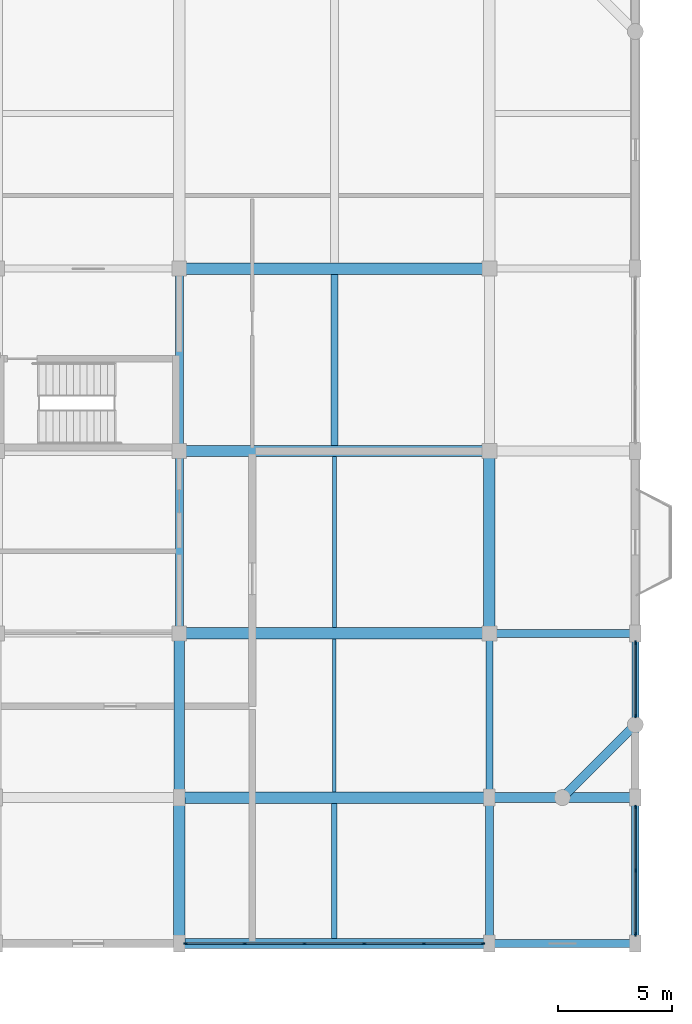
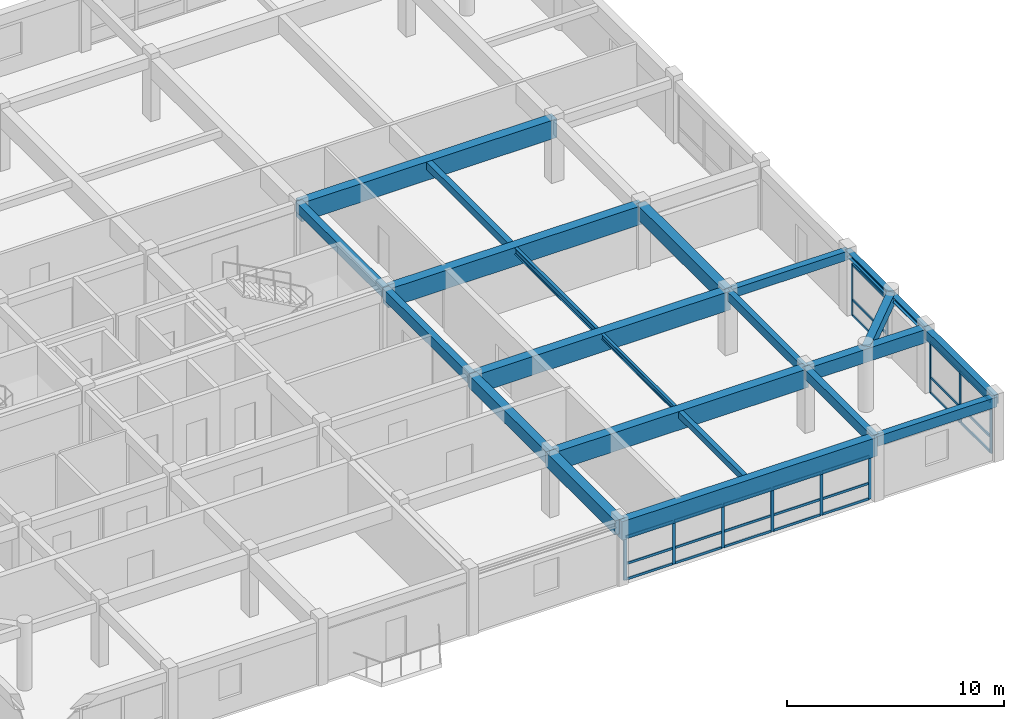
# One storey, part 4 of 13: 35 members, 22 beams, 3 elements without a shape of their own.
"""IFC4 building model written with IfcOpenShell, lengths in metres."""

from ifc_helpers import new_model, si_unit, direction, frame, origin, origin_2d, place, context, subcontext, project, spatial, rectangle, i_section, extrude, material, material_profile, profile_set, type_object, element, aggregate, save


model = new_model("IFC4")

# Units and contexts
model_context = context("Model", 3, precision=1e-05, world=origin(), true_north=direction((0.0, 1.0)))
body_context = subcontext(model_context, "Body", "Model", "MODEL_VIEW")
ifc_project = project(units=[si_unit("LENGTHUNIT", "METRE"), si_unit("AREAUNIT", "SQUARE_METRE"), si_unit("VOLUMEUNIT", "CUBIC_METRE"), si_unit("PLANEANGLEUNIT", "RADIAN"), si_unit("MASSUNIT", "GRAM", prefix="KILO")], contexts=[model_context])

# Site, building, storey
site_placement = place(None, origin())
site = spatial("IfcSite", under=ifc_project, at=site_placement, CompositionType="ELEMENT")
building_placement = place(site_placement, origin())
building = spatial("IfcBuilding", under=site, at=building_placement, Name="Vellmiral Cinema and Media Centre", CompositionType="ELEMENT")
storey_placement = place(building_placement, frame((0.0, 0.0, 43.300048828125)))
storey = spatial("IfcBuildingStorey", under=building, at=storey_placement, Name="L10", CompositionType="ELEMENT", Elevation=43.300048828125)

# Beams
ifc_material_1 = material(Name="Concrete C40/50", Category="concrete")
ifc_material_profile_1 = material_profile(ifc_material_1, rectangle(XDim=0.300048828125, YDim=0.5, at=origin_2d()), Name="RC 300x500")
ifc_profile_set_1 = profile_set([ifc_material_profile_1], Name="Concrete C40/50")
beam_type_1 = type_object("IfcBeamType", Name="BM-RC-300x500", PredefinedType="BEAM", material=ifc_profile_set_1)
beam_1_placement = place(storey_placement, frame((161.60009765625, 72.0, 3.244873046875), z_axis=(0.0, 1.0, 0.0), x_axis=(-1.0, 0.0, 0.0)))
element("IfcBeam", 1, at=beam_1_placement, inside=storey, type_object=beam_type_1, Name="Grid Beam L10-Y073", PredefinedType="BEAM", context=body_context, shape_type="SweptSolid", body=[
    extrude(rectangle(XDim=0.300048828125, YDim=0.5, at=origin_2d()), origin(), (0.0, 0.0, 1.0), 7.199951171875),
])
ifc_material_2 = material(Name="Concrete C40/50", Category="concrete")
ifc_material_profile_2 = material_profile(ifc_material_2, rectangle(XDim=0.35009765625, YDim=0.5, at=origin_2d()), Name="RC 350x500")
ifc_profile_set_2 = profile_set([ifc_material_profile_2], Name="Concrete C40/50")
beam_type_2 = type_object("IfcBeamType", Name="BM-RC-350x500", PredefinedType="BEAM", material=ifc_profile_set_2)
beam_2_placement = place(storey_placement, frame((161.60009765625, 79.199951171875, 3.244873046875), z_axis=(1.0, 0.0, 0.0), x_axis=(0.0, 1.0, 0.0)))
element("IfcBeam", 2, at=beam_2_placement, inside=storey, type_object=beam_type_2, Name="Grid Beam L10-X018", PredefinedType="BEAM", context=body_context, shape_type="SweptSolid", body=[
    extrude(rectangle(XDim=0.35009765625, YDim=0.5, at=origin_2d()), origin(), (0.0, 0.0, 1.0), 6.39990234375),
])
ifc_material_3 = material(Name="Concrete C40/50", Category="concrete")
ifc_material_profile_3 = material_profile(ifc_material_3, rectangle(XDim=0.35009765625, YDim=0.550048828125, at=origin_2d()), Name="RC 350x550")
ifc_profile_set_3 = profile_set([ifc_material_profile_3], Name="Concrete C40/50")
beam_type_3 = type_object("IfcBeamType", Name="BM-RC-350x550", PredefinedType="BEAM", material=ifc_profile_set_3)
beam_3_placement = place(storey_placement, frame((148.0, 87.199951171875, 3.219970703125), z_axis=(0.0, 1.0, 0.0), x_axis=(-1.0, 0.0, 0.0)))
element("IfcBeam", 3, at=beam_3_placement, inside=storey, type_object=beam_type_3, Name="Grid Beam L10-Y069", PredefinedType="BEAM", context=body_context, shape_type="SweptSolid", body=[
    extrude(rectangle(XDim=0.35009765625, YDim=0.550048828125, at=origin_2d()), origin(), (0.0, 0.0, 1.0), 8.0),
])
beam_4_placement = place(storey_placement, frame((161.60009765625, 65.60009765625, 3.219970703125), z_axis=(0.0, 1.0, 0.0), x_axis=(-1.0, 0.0, 0.0)))
element("IfcBeam", 4, at=beam_4_placement, inside=storey, type_object=beam_type_3, Name="Grid Beam L10-Y072", PredefinedType="BEAM", context=body_context, shape_type="SweptSolid", body=[
    extrude(rectangle(XDim=0.35009765625, YDim=0.550048828125, at=origin_2d()), origin(), (0.0, 0.0, 1.0), 6.39990234375),
])
ifc_material_4 = material(Name="Concrete C40/50", Category="concrete")
ifc_material_profile_4 = material_profile(ifc_material_4, rectangle(XDim=0.35009765625, YDim=0.60009765625, at=origin_2d()), Name="RC 350x600")
ifc_profile_set_4 = profile_set([ifc_material_profile_4], Name="Concrete C40/50")
beam_type_4 = type_object("IfcBeamType", Name="BM-RC-350x600", PredefinedType="BEAM", material=ifc_profile_set_4)
beam_5_placement = place(storey_placement, frame((148.0, 79.199951171875, 3.195068359375), z_axis=(0.0, 1.0, 0.0), x_axis=(-1.0, 0.0, 0.0)))
element("IfcBeam", 5, at=beam_5_placement, inside=storey, type_object=beam_type_4, Name="Grid Beam L10-Y068", PredefinedType="BEAM", context=body_context, shape_type="SweptSolid", body=[
    extrude(rectangle(XDim=0.35009765625, YDim=0.60009765625, at=origin_2d()), origin(), (0.0, 0.0, 1.0), 8.0),
])
ifc_material_5 = material(Name="Concrete C40/50", Category="concrete")
ifc_material_profile_5 = material_profile(ifc_material_5, rectangle(XDim=0.449951171875, YDim=0.699951171875, at=origin_2d()), Name="RC 450x700")
ifc_profile_set_5 = profile_set([ifc_material_profile_5], Name="Concrete C40/50")
beam_type_5 = type_object("IfcBeamType", Name="BM-RC-450x700", PredefinedType="BEAM", material=ifc_profile_set_5)
beam_6_placement = place(storey_placement, frame((148.0, 72.0, 3.14501953125), z_axis=(0.0, 1.0, 0.0), x_axis=(-1.0, 0.0, 0.0)))
element("IfcBeam", 6, at=beam_6_placement, inside=storey, type_object=beam_type_5, Name="Grid Beam L10-Y067", PredefinedType="BEAM", context=body_context, shape_type="SweptSolid", body=[
    extrude(rectangle(XDim=0.449951171875, YDim=0.699951171875, at=origin_2d()), origin(), (0.0, 0.0, 1.0), 7.199951171875),
])
ifc_material_6 = material(Name="Concrete C40/50", Category="concrete")
ifc_material_profile_6 = material_profile(ifc_material_6, rectangle(XDim=0.449951171875, YDim=0.75, at=origin_2d()), Name="RC 450x750")
ifc_profile_set_6 = profile_set([ifc_material_profile_6], Name="Concrete C40/50")
beam_type_6 = type_object("IfcBeamType", Name="BM-RC-450x750", PredefinedType="BEAM", material=ifc_profile_set_6)
beam_7_placement = place(storey_placement, frame((161.60009765625, 72.0, 3.119873046875), z_axis=(1.0, 0.0, 0.0), x_axis=(0.0, 1.0, 0.0)))
element("IfcBeam", 7, at=beam_7_placement, inside=storey, type_object=beam_type_6, Name="Grid Beam L10-X012", PredefinedType="BEAM", context=body_context, shape_type="SweptSolid", body=[
    extrude(rectangle(XDim=0.449951171875, YDim=0.75, at=origin_2d()), origin(), (0.0, 0.0, 1.0), 6.39990234375),
])
ifc_material_7 = material(Name="Concrete C40/50", Category="concrete")
ifc_material_profile_7 = material_profile(ifc_material_7, rectangle(XDim=0.5, YDim=0.800048828125, at=origin_2d()), Name="RC 500x800")
ifc_profile_set_7 = profile_set([ifc_material_profile_7], Name="Concrete C40/50")
beam_type_7 = type_object("IfcBeamType", Name="BM-RC-500x800", PredefinedType="BEAM", material=ifc_profile_set_7)
beam_8_placement = place(storey_placement, frame((148.0, 65.60009765625, 3.094970703125), z_axis=(0.0, 1.0, 0.0), x_axis=(-1.0, 0.0, 0.0)))
element("IfcBeam", 8, at=beam_8_placement, inside=storey, type_object=beam_type_7, Name="Grid Beam L10-Y066", PredefinedType="BEAM", context=body_context, shape_type="SweptSolid", body=[
    extrude(rectangle(XDim=0.5, YDim=0.800048828125, at=origin_2d()), origin(), (0.0, 0.0, 1.0), 6.39990234375),
])
beam_9_placement = place(storey_placement, frame((161.60009765625, 79.199951171875, 3.094970703125), z_axis=(0.0, 1.0, 0.0), x_axis=(-1.0, 0.0, 0.0)))
element("IfcBeam", 9, at=beam_9_placement, inside=storey, type_object=beam_type_7, Name="Grid Beam L10-Y074", PredefinedType="BEAM", context=body_context, shape_type="SweptSolid", body=[
    extrude(rectangle(XDim=0.5, YDim=0.800048828125, at=origin_2d()), origin(), (0.0, 0.0, 1.0), 8.0),
])
ifc_material_8 = material(Name="Concrete C40/50", Category="concrete")
ifc_material_profile_8 = material_profile(ifc_material_8, rectangle(XDim=0.5, YDim=1.050048828125, at=origin_2d()), Name="RC 500x1050")
ifc_profile_set_8 = profile_set([ifc_material_profile_8], Name="Concrete C40/50")
beam_type_8 = type_object("IfcBeamType", Name="BM-RCG-500x1050", PredefinedType="BEAM", material=ifc_profile_set_8)
for number, where, z_axis, x_axis, name in (
    (10, (148.0, 72.0, 2.969970703125), (1.0, 0.0, 0.0), (0.0, 1.0, 0.0), "Grid Beam L10-X011"),
    (11, (148.0, 79.199951171875, 2.969970703125), (1.0, 0.0, 0.0), (0.0, 1.0, 0.0), "Grid Beam L10-X017"),
    (12, (148.0, 87.199951171875, 2.969970703125), (1.0, 0.0, 0.0), (0.0, 1.0, 0.0), "Grid Beam L10-X023"),
    (13, (148.0, 95.199951171875, 2.969970703125), (1.0, 0.0, 0.0), (0.0, 1.0, 0.0), "Grid Beam L10-X029"),
):
    element("IfcBeam", number, at=place(storey_placement, frame(where, z_axis=z_axis, x_axis=x_axis)), inside=storey, type_object=beam_type_8, Name=name, PredefinedType="BEAM", context=body_context, shape_type="SweptSolid", body=[
        extrude(rectangle(XDim=0.5, YDim=1.050048828125, at=origin_2d()), origin(), (0.0, 0.0, 1.0), 13.60009765625),
    ])

# Curtain wall, members
ifc_material_9 = material(Name="Thermally Broken Aluminium and Triple Glazing", Category="aluminium")
curtain_wall_type = type_object("IfcCurtainWallType", Name="CW-TOWER-MID-E", PredefinedType="USERDEFINED", material=ifc_material_9)
curtain_wall_1_placement = place(storey_placement, origin())
curtain_wall_1 = element("IfcCurtainWall", 14, at=curtain_wall_1_placement, inside=storey, type_object=curtain_wall_type, Name="Curtain Wall L10-B005", ObjectType="UNITISED CURTAIN WALL", PredefinedType="USERDEFINED")
ifc_material_10 = material(Name="Thermally Broken Anodised Aluminium", Category="aluminium")
ifc_material_profile_9 = material_profile(ifc_material_10, rectangle(XDim=0.06494140625, YDim=0.159912109375, at=origin_2d()), Name="MULL 65x160")
ifc_profile_set_9 = profile_set([ifc_material_profile_9], Name="Thermally Broken Anodised Aluminium")
member_type_1 = type_object("IfcMemberType", Name="CWM-65x160", PredefinedType="MULLION", material=ifc_profile_set_9)
member_1_placement = place(storey_placement, frame((148.282470703125, 65.60009765625, 0.0), z_axis=(0.0, 0.0, 1.0), x_axis=(0.0, 1.0, 0.0)))
member_1 = element("IfcMember", 15, at=member_1_placement, type_object=member_type_1, Name="CW-07 mullion 1", PredefinedType="MULLION", context=body_context, shape_type="SweptSolid", body=[
    extrude(rectangle(XDim=0.06494140625, YDim=0.159912109375, at=origin_2d()), origin(), (0.0, 0.0, 1.0), 2.43505859375),
])
member_2_placement = place(storey_placement, frame((150.8701171875, 65.60009765625, 0.0), z_axis=(0.0, 0.0, 1.0), x_axis=(0.0, 1.0, 0.0)))
member_2 = element("IfcMember", 16, at=member_2_placement, type_object=member_type_1, Name="CW-07 mullion 2", PredefinedType="MULLION", context=body_context, shape_type="SweptSolid", body=[
    extrude(rectangle(XDim=0.06494140625, YDim=0.159912109375, at=origin_2d()), origin(), (0.0, 0.0, 1.0), 2.43505859375),
])
member_3_placement = place(storey_placement, frame((153.489990234375, 65.60009765625, 0.0), z_axis=(0.0, 0.0, 1.0), x_axis=(0.0, 1.0, 0.0)))
member_3 = element("IfcMember", 17, at=member_3_placement, type_object=member_type_1, Name="CW-07 mullion 3", PredefinedType="MULLION", context=body_context, shape_type="SweptSolid", body=[
    extrude(rectangle(XDim=0.06494140625, YDim=0.159912109375, at=origin_2d()), origin(), (0.0, 0.0, 1.0), 2.43505859375),
])
member_4_placement = place(storey_placement, frame((156.110107421875, 65.60009765625, 0.0), z_axis=(0.0, 0.0, 1.0), x_axis=(0.0, 1.0, 0.0)))
member_4 = element("IfcMember", 18, at=member_4_placement, type_object=member_type_1, Name="CW-07 mullion 4", PredefinedType="MULLION", context=body_context, shape_type="SweptSolid", body=[
    extrude(rectangle(XDim=0.06494140625, YDim=0.159912109375, at=origin_2d()), origin(), (0.0, 0.0, 1.0), 2.43505859375),
])
member_5_placement = place(storey_placement, frame((158.72998046875, 65.60009765625, 0.0), z_axis=(0.0, 0.0, 1.0), x_axis=(0.0, 1.0, 0.0)))
member_5 = element("IfcMember", 19, at=member_5_placement, type_object=member_type_1, Name="CW-07 mullion 5", PredefinedType="MULLION", context=body_context, shape_type="SweptSolid", body=[
    extrude(rectangle(XDim=0.06494140625, YDim=0.159912109375, at=origin_2d()), origin(), (0.0, 0.0, 1.0), 2.43505859375),
])
member_6_placement = place(storey_placement, frame((161.3173828125, 65.60009765625, 0.0), z_axis=(0.0, 0.0, 1.0), x_axis=(0.0, 1.0, 0.0)))
member_6 = element("IfcMember", 20, at=member_6_placement, type_object=member_type_1, Name="CW-07 mullion 6", PredefinedType="MULLION", context=body_context, shape_type="SweptSolid", body=[
    extrude(rectangle(XDim=0.06494140625, YDim=0.159912109375, at=origin_2d()), origin(), (0.0, 0.0, 1.0), 2.43505859375),
])

curtain_wall_2_placement = place(storey_placement, origin())
curtain_wall_2 = element("IfcCurtainWall", 21, at=curtain_wall_2_placement, inside=storey, type_object=curtain_wall_type, Name="Curtain Wall L10-B007", ObjectType="UNITISED CURTAIN WALL", PredefinedType="USERDEFINED")
member_7_placement = place(storey_placement, frame((168.0, 66.007568359375, 0.0), z_axis=(0.0, 0.0, 1.0), x_axis=(-1.0, 0.0, 0.0)))
member_7 = element("IfcMember", 22, at=member_7_placement, type_object=member_type_1, Name="CW-07 mullion 1", PredefinedType="MULLION", context=body_context, shape_type="SweptSolid", body=[
    extrude(rectangle(XDim=0.06494140625, YDim=0.159912109375, at=origin_2d()), origin(), (0.0, 0.0, 1.0), 2.89990234375),
])
member_8_placement = place(storey_placement, frame((168.0, 68.800048828125, 0.0), z_axis=(0.0, 0.0, 1.0), x_axis=(-1.0, 0.0, 0.0)))
member_8 = element("IfcMember", 23, at=member_8_placement, type_object=member_type_1, Name="CW-07 mullion 2", PredefinedType="MULLION", context=body_context, shape_type="SweptSolid", body=[
    extrude(rectangle(XDim=0.06494140625, YDim=0.159912109375, at=origin_2d()), origin(), (0.0, 0.0, 1.0), 2.89990234375),
])
member_9_placement = place(storey_placement, frame((168.0, 71.592529296875, 0.0), z_axis=(0.0, 0.0, 1.0), x_axis=(-1.0, 0.0, 0.0)))
member_9 = element("IfcMember", 24, at=member_9_placement, type_object=member_type_1, Name="CW-07 mullion 3", PredefinedType="MULLION", context=body_context, shape_type="SweptSolid", body=[
    extrude(rectangle(XDim=0.06494140625, YDim=0.159912109375, at=origin_2d()), origin(), (0.0, 0.0, 1.0), 2.89990234375),
])

curtain_wall_3_placement = place(storey_placement, origin())
curtain_wall_3 = element("IfcCurtainWall", 25, at=curtain_wall_3_placement, inside=storey, type_object=curtain_wall_type, Name="Curtain Wall L10-B009", ObjectType="UNITISED CURTAIN WALL", PredefinedType="USERDEFINED")
member_10_placement = place(storey_placement, frame((168.0, 75.58251953125, 0.0), z_axis=(0.0, 0.0, 1.0), x_axis=(-1.0, 0.0, 0.0)))
member_10 = element("IfcMember", 26, at=member_10_placement, type_object=member_type_1, Name="CW-07 mullion 1", PredefinedType="MULLION", context=body_context, shape_type="SweptSolid", body=[
    extrude(rectangle(XDim=0.06494140625, YDim=0.159912109375, at=origin_2d()), origin(), (0.0, 0.0, 1.0), 2.89990234375),
])
member_11_placement = place(storey_placement, frame((168.0, 78.79248046875, 0.0), z_axis=(0.0, 0.0, 1.0), x_axis=(-1.0, 0.0, 0.0)))
member_11 = element("IfcMember", 27, at=member_11_placement, type_object=member_type_1, Name="CW-07 mullion 2", PredefinedType="MULLION", context=body_context, shape_type="SweptSolid", body=[
    extrude(rectangle(XDim=0.06494140625, YDim=0.159912109375, at=origin_2d()), origin(), (0.0, 0.0, 1.0), 2.89990234375),
])

# Member
ifc_material_11 = material(Name="Thermally Broken Anodised Aluminium", Category="aluminium")
ifc_material_profile_10 = material_profile(ifc_material_11, rectangle(XDim=0.06494140625, YDim=0.135009765625, at=origin_2d()), Name="MULL 65x135")
ifc_profile_set_10 = profile_set([ifc_material_profile_10], Name="Thermally Broken Anodised Aluminium")
member_type_2 = type_object("IfcMemberType", Name="CWT-65x135", PredefinedType="USERDEFINED", material=ifc_profile_set_10)
member_12_placement = place(storey_placement, frame((148.31494140625, 65.60009765625, 0.032470703125), z_axis=(1.0, 0.0, 0.0), x_axis=(0.0, 1.0, 0.0)))
member_12 = element("IfcMember", 28, at=member_12_placement, type_object=member_type_2, Name="CW-07 transom 1.1", ObjectType="TRANSOM", PredefinedType="USERDEFINED", context=body_context, shape_type="SweptSolid", body=[
    extrude(rectangle(XDim=0.06494140625, YDim=0.135009765625, at=origin_2d()), origin(), (0.0, 0.0, 1.0), 2.5224609375),
])

member_13_placement = place(storey_placement, frame((148.31494140625, 65.60009765625, 0.89990234375), z_axis=(1.0, 0.0, 0.0), x_axis=(0.0, 1.0, 0.0)))
member_13 = element("IfcMember", 29, at=member_13_placement, type_object=member_type_2, Name="CW-07 transom 1.2", ObjectType="TRANSOM", PredefinedType="USERDEFINED", context=body_context, shape_type="SweptSolid", body=[
    extrude(rectangle(XDim=0.06494140625, YDim=0.135009765625, at=origin_2d()), origin(), (0.0, 0.0, 1.0), 2.5224609375),
])

member_14_placement = place(storey_placement, frame((148.31494140625, 65.60009765625, 2.40234375), z_axis=(1.0, 0.0, 0.0), x_axis=(0.0, 1.0, 0.0)))
member_14 = element("IfcMember", 30, at=member_14_placement, type_object=member_type_2, Name="CW-07 transom 1.3", ObjectType="TRANSOM", PredefinedType="USERDEFINED", context=body_context, shape_type="SweptSolid", body=[
    extrude(rectangle(XDim=0.06494140625, YDim=0.135009765625, at=origin_2d()), origin(), (0.0, 0.0, 1.0), 2.5224609375),
])

member_15_placement = place(storey_placement, frame((150.902587890625, 65.60009765625, 0.032470703125), z_axis=(1.0, 0.0, 0.0), x_axis=(0.0, 1.0, 0.0)))
member_15 = element("IfcMember", 31, at=member_15_placement, type_object=member_type_2, Name="CW-07 transom 2.1", ObjectType="TRANSOM", PredefinedType="USERDEFINED", context=body_context, shape_type="SweptSolid", body=[
    extrude(rectangle(XDim=0.06494140625, YDim=0.135009765625, at=origin_2d()), origin(), (0.0, 0.0, 1.0), 2.554931640625),
])

member_16_placement = place(storey_placement, frame((150.902587890625, 65.60009765625, 0.89990234375), z_axis=(1.0, 0.0, 0.0), x_axis=(0.0, 1.0, 0.0)))
member_16 = element("IfcMember", 32, at=member_16_placement, type_object=member_type_2, Name="CW-07 transom 2.2", ObjectType="TRANSOM", PredefinedType="USERDEFINED", context=body_context, shape_type="SweptSolid", body=[
    extrude(rectangle(XDim=0.06494140625, YDim=0.135009765625, at=origin_2d()), origin(), (0.0, 0.0, 1.0), 2.554931640625),
])

member_17_placement = place(storey_placement, frame((150.902587890625, 65.60009765625, 2.40234375), z_axis=(1.0, 0.0, 0.0), x_axis=(0.0, 1.0, 0.0)))
member_17 = element("IfcMember", 33, at=member_17_placement, type_object=member_type_2, Name="CW-07 transom 2.3", ObjectType="TRANSOM", PredefinedType="USERDEFINED", context=body_context, shape_type="SweptSolid", body=[
    extrude(rectangle(XDim=0.06494140625, YDim=0.135009765625, at=origin_2d()), origin(), (0.0, 0.0, 1.0), 2.554931640625),
])

member_18_placement = place(storey_placement, frame((153.5224609375, 65.60009765625, 0.032470703125), z_axis=(1.0, 0.0, 0.0), x_axis=(0.0, 1.0, 0.0)))
member_18 = element("IfcMember", 34, at=member_18_placement, type_object=member_type_2, Name="CW-07 transom 3.1", ObjectType="TRANSOM", PredefinedType="USERDEFINED", context=body_context, shape_type="SweptSolid", body=[
    extrude(rectangle(XDim=0.06494140625, YDim=0.135009765625, at=origin_2d()), origin(), (0.0, 0.0, 1.0), 2.554931640625),
])

member_19_placement = place(storey_placement, frame((153.5224609375, 65.60009765625, 0.89990234375), z_axis=(1.0, 0.0, 0.0), x_axis=(0.0, 1.0, 0.0)))
member_19 = element("IfcMember", 35, at=member_19_placement, type_object=member_type_2, Name="CW-07 transom 3.2", ObjectType="TRANSOM", PredefinedType="USERDEFINED", context=body_context, shape_type="SweptSolid", body=[
    extrude(rectangle(XDim=0.06494140625, YDim=0.135009765625, at=origin_2d()), origin(), (0.0, 0.0, 1.0), 2.554931640625),
])

member_20_placement = place(storey_placement, frame((153.5224609375, 65.60009765625, 2.40234375), z_axis=(1.0, 0.0, 0.0), x_axis=(0.0, 1.0, 0.0)))
member_20 = element("IfcMember", 36, at=member_20_placement, type_object=member_type_2, Name="CW-07 transom 3.3", ObjectType="TRANSOM", PredefinedType="USERDEFINED", context=body_context, shape_type="SweptSolid", body=[
    extrude(rectangle(XDim=0.06494140625, YDim=0.135009765625, at=origin_2d()), origin(), (0.0, 0.0, 1.0), 2.554931640625),
])

member_21_placement = place(storey_placement, frame((156.142578125, 65.60009765625, 0.032470703125), z_axis=(1.0, 0.0, 0.0), x_axis=(0.0, 1.0, 0.0)))
member_21 = element("IfcMember", 37, at=member_21_placement, type_object=member_type_2, Name="CW-07 transom 4.1", ObjectType="TRANSOM", PredefinedType="USERDEFINED", context=body_context, shape_type="SweptSolid", body=[
    extrude(rectangle(XDim=0.06494140625, YDim=0.135009765625, at=origin_2d()), origin(), (0.0, 0.0, 1.0), 2.554931640625),
])

member_22_placement = place(storey_placement, frame((156.142578125, 65.60009765625, 0.89990234375), z_axis=(1.0, 0.0, 0.0), x_axis=(0.0, 1.0, 0.0)))
member_22 = element("IfcMember", 38, at=member_22_placement, type_object=member_type_2, Name="CW-07 transom 4.2", ObjectType="TRANSOM", PredefinedType="USERDEFINED", context=body_context, shape_type="SweptSolid", body=[
    extrude(rectangle(XDim=0.06494140625, YDim=0.135009765625, at=origin_2d()), origin(), (0.0, 0.0, 1.0), 2.554931640625),
])

member_23_placement = place(storey_placement, frame((156.142578125, 65.60009765625, 2.40234375), z_axis=(1.0, 0.0, 0.0), x_axis=(0.0, 1.0, 0.0)))
member_23 = element("IfcMember", 39, at=member_23_placement, type_object=member_type_2, Name="CW-07 transom 4.3", ObjectType="TRANSOM", PredefinedType="USERDEFINED", context=body_context, shape_type="SweptSolid", body=[
    extrude(rectangle(XDim=0.06494140625, YDim=0.135009765625, at=origin_2d()), origin(), (0.0, 0.0, 1.0), 2.554931640625),
])

member_24_placement = place(storey_placement, frame((158.762451171875, 65.60009765625, 0.032470703125), z_axis=(1.0, 0.0, 0.0), x_axis=(0.0, 1.0, 0.0)))
member_24 = element("IfcMember", 40, at=member_24_placement, type_object=member_type_2, Name="CW-07 transom 5.1", ObjectType="TRANSOM", PredefinedType="USERDEFINED", context=body_context, shape_type="SweptSolid", body=[
    extrude(rectangle(XDim=0.06494140625, YDim=0.135009765625, at=origin_2d()), origin(), (0.0, 0.0, 1.0), 2.5224609375),
])

member_25_placement = place(storey_placement, frame((158.762451171875, 65.60009765625, 0.89990234375), z_axis=(1.0, 0.0, 0.0), x_axis=(0.0, 1.0, 0.0)))
member_25 = element("IfcMember", 41, at=member_25_placement, type_object=member_type_2, Name="CW-07 transom 5.2", ObjectType="TRANSOM", PredefinedType="USERDEFINED", context=body_context, shape_type="SweptSolid", body=[
    extrude(rectangle(XDim=0.06494140625, YDim=0.135009765625, at=origin_2d()), origin(), (0.0, 0.0, 1.0), 2.5224609375),
])

member_26_placement = place(storey_placement, frame((158.762451171875, 65.60009765625, 2.40234375), z_axis=(1.0, 0.0, 0.0), x_axis=(0.0, 1.0, 0.0)))
member_26 = element("IfcMember", 42, at=member_26_placement, type_object=member_type_2, Name="CW-07 transom 5.3", ObjectType="TRANSOM", PredefinedType="USERDEFINED", context=body_context, shape_type="SweptSolid", body=[
    extrude(rectangle(XDim=0.06494140625, YDim=0.135009765625, at=origin_2d()), origin(), (0.0, 0.0, 1.0), 2.5224609375),
])

aggregate(curtain_wall_1, [member_1, member_2, member_3, member_4, member_5, member_6, member_12, member_13, member_14, member_15, member_16, member_17, member_18, member_19, member_20, member_21, member_22, member_23, member_24, member_25, member_26])

member_27_placement = place(storey_placement, frame((168.0, 66.0400390625, 0.032470703125), z_axis=(0.0, 1.0, 0.0), x_axis=(-1.0, 0.0, 0.0)))
member_27 = element("IfcMember", 43, at=member_27_placement, type_object=member_type_2, Name="CW-07 transom 1.1", ObjectType="TRANSOM", PredefinedType="USERDEFINED", context=body_context, shape_type="SweptSolid", body=[
    extrude(rectangle(XDim=0.06494140625, YDim=0.135009765625, at=origin_2d()), origin(), (0.0, 0.0, 1.0), 2.7275390625),
])

member_28_placement = place(storey_placement, frame((168.0, 66.0400390625, 0.89990234375), z_axis=(0.0, 1.0, 0.0), x_axis=(-1.0, 0.0, 0.0)))
member_28 = element("IfcMember", 44, at=member_28_placement, type_object=member_type_2, Name="CW-07 transom 1.2", ObjectType="TRANSOM", PredefinedType="USERDEFINED", context=body_context, shape_type="SweptSolid", body=[
    extrude(rectangle(XDim=0.06494140625, YDim=0.135009765625, at=origin_2d()), origin(), (0.0, 0.0, 1.0), 2.7275390625),
])

member_29_placement = place(storey_placement, frame((168.0, 66.0400390625, 2.867431640625), z_axis=(0.0, 1.0, 0.0), x_axis=(-1.0, 0.0, 0.0)))
member_29 = element("IfcMember", 45, at=member_29_placement, type_object=member_type_2, Name="CW-07 transom 1.3", ObjectType="TRANSOM", PredefinedType="USERDEFINED", context=body_context, shape_type="SweptSolid", body=[
    extrude(rectangle(XDim=0.06494140625, YDim=0.135009765625, at=origin_2d()), origin(), (0.0, 0.0, 1.0), 2.7275390625),
])

member_30_placement = place(storey_placement, frame((168.0, 68.83251953125, 0.032470703125), z_axis=(0.0, 1.0, 0.0), x_axis=(-1.0, 0.0, 0.0)))
member_30 = element("IfcMember", 46, at=member_30_placement, type_object=member_type_2, Name="CW-07 transom 2.1", ObjectType="TRANSOM", PredefinedType="USERDEFINED", context=body_context, shape_type="SweptSolid", body=[
    extrude(rectangle(XDim=0.06494140625, YDim=0.135009765625, at=origin_2d()), origin(), (0.0, 0.0, 1.0), 2.7275390625),
])

member_31_placement = place(storey_placement, frame((168.0, 68.83251953125, 0.89990234375), z_axis=(0.0, 1.0, 0.0), x_axis=(-1.0, 0.0, 0.0)))
member_31 = element("IfcMember", 47, at=member_31_placement, type_object=member_type_2, Name="CW-07 transom 2.2", ObjectType="TRANSOM", PredefinedType="USERDEFINED", context=body_context, shape_type="SweptSolid", body=[
    extrude(rectangle(XDim=0.06494140625, YDim=0.135009765625, at=origin_2d()), origin(), (0.0, 0.0, 1.0), 2.7275390625),
])

member_32_placement = place(storey_placement, frame((168.0, 68.83251953125, 2.867431640625), z_axis=(0.0, 1.0, 0.0), x_axis=(-1.0, 0.0, 0.0)))
member_32 = element("IfcMember", 48, at=member_32_placement, type_object=member_type_2, Name="CW-07 transom 2.3", ObjectType="TRANSOM", PredefinedType="USERDEFINED", context=body_context, shape_type="SweptSolid", body=[
    extrude(rectangle(XDim=0.06494140625, YDim=0.135009765625, at=origin_2d()), origin(), (0.0, 0.0, 1.0), 2.7275390625),
])

aggregate(curtain_wall_2, [member_7, member_8, member_9, member_27, member_28, member_29, member_30, member_31, member_32])

member_33_placement = place(storey_placement, frame((168.0, 75.614990234375, 0.032470703125), z_axis=(0.0, 1.0, 0.0), x_axis=(-1.0, 0.0, 0.0)))
member_33 = element("IfcMember", 49, at=member_33_placement, type_object=member_type_2, Name="CW-07 transom 1.1", ObjectType="TRANSOM", PredefinedType="USERDEFINED", context=body_context, shape_type="SweptSolid", body=[
    extrude(rectangle(XDim=0.06494140625, YDim=0.135009765625, at=origin_2d()), origin(), (0.0, 0.0, 1.0), 3.14501953125),
])

member_34_placement = place(storey_placement, frame((168.0, 75.614990234375, 0.89990234375), z_axis=(0.0, 1.0, 0.0), x_axis=(-1.0, 0.0, 0.0)))
member_34 = element("IfcMember", 50, at=member_34_placement, type_object=member_type_2, Name="CW-07 transom 1.2", ObjectType="TRANSOM", PredefinedType="USERDEFINED", context=body_context, shape_type="SweptSolid", body=[
    extrude(rectangle(XDim=0.06494140625, YDim=0.135009765625, at=origin_2d()), origin(), (0.0, 0.0, 1.0), 3.14501953125),
])

member_35_placement = place(storey_placement, frame((168.0, 75.614990234375, 2.867431640625), z_axis=(0.0, 1.0, 0.0), x_axis=(-1.0, 0.0, 0.0)))
member_35 = element("IfcMember", 51, at=member_35_placement, type_object=member_type_2, Name="CW-07 transom 1.3", ObjectType="TRANSOM", PredefinedType="USERDEFINED", context=body_context, shape_type="SweptSolid", body=[
    extrude(rectangle(XDim=0.06494140625, YDim=0.135009765625, at=origin_2d()), origin(), (0.0, 0.0, 1.0), 3.14501953125),
])

aggregate(curtain_wall_3, [member_10, member_11, member_33, member_34, member_35])

# Beams
ifc_material_12 = material(Name="Concrete C40/50", Category="concrete")
ifc_material_profile_11 = material_profile(ifc_material_12, rectangle(XDim=0.25, YDim=0.35009765625, at=origin_2d()), Name="RC 250x350")
ifc_profile_set_11 = profile_set([ifc_material_profile_11], Name="Concrete C40/50")
beam_type_9 = type_object("IfcBeamType", Name="JST-RC-250x350", PredefinedType="JOIST", material=ifc_profile_set_11)
beam_10_placement = place(storey_placement, frame((154.800048828125, 65.824951171875, 3.320068359375), z_axis=(0.0, 1.0, 0.0), x_axis=(-1.0, 0.0, 0.0)))
element("IfcBeam", 52, at=beam_10_placement, inside=storey, type_object=beam_type_9, Name="Secondary Floor Joist L10-005", PredefinedType="JOIST", context=body_context, shape_type="SweptSolid", body=[
    extrude(rectangle(XDim=0.25, YDim=0.35009765625, at=origin_2d()), origin(), (0.0, 0.0, 1.0), 5.925048828125),
])
ifc_material_13 = material(Name="Concrete C40/50", Category="concrete")
ifc_material_profile_12 = material_profile(ifc_material_13, rectangle(XDim=0.300048828125, YDim=0.419921875, at=origin_2d()), Name="RC 300x420")
ifc_profile_set_12 = profile_set([ifc_material_profile_12], Name="Concrete C40/50")
beam_type_10 = type_object("IfcBeamType", Name="JST-RC-300x420", PredefinedType="JOIST", material=ifc_profile_set_12)
beam_11_placement = place(storey_placement, frame((154.800048828125, 87.449951171875, 3.284912109375), z_axis=(0.0, 1.0, 0.0), x_axis=(-1.0, 0.0, 0.0)))
element("IfcBeam", 53, at=beam_11_placement, inside=storey, type_object=beam_type_10, Name="Secondary Floor Joist L10-008", PredefinedType="JOIST", context=body_context, shape_type="SweptSolid", body=[
    extrude(rectangle(XDim=0.300048828125, YDim=0.419921875, at=origin_2d()), origin(), (0.0, 0.0, 1.0), 7.5),
])
ifc_material_14 = material(Name="Steel S355", Category="steel")
ifc_material_profile_13 = material_profile(ifc_material_14, i_section(OverallWidth=0.300048828125, OverallDepth=0.300048828125, WebThickness=0.010986328125, FlangeThickness=0.01904296875, FilletRadius=0.027099609375, at=origin_2d()), Name="HEB 300")
ifc_profile_set_13 = profile_set([ifc_material_profile_13], Name="Steel S355")
beam_type_11 = type_object("IfcBeamType", Name="SBM-HEB300", PredefinedType="SPANDREL", material=ifc_profile_set_13)
beam_12_placement = place(storey_placement, frame((168.0, 72.0, 3.344970703125), z_axis=(0.0, 1.0, 0.0), x_axis=(-1.0, 0.0, 0.0)))
element("IfcBeam", 54, at=beam_12_placement, inside=storey, type_object=beam_type_11, Name="Grid Beam L10-Y079", PredefinedType="SPANDREL", context=body_context, shape_type="SweptSolid", body=[
    extrude(i_section(OverallWidth=0.300048828125, OverallDepth=0.300048828125, WebThickness=0.010986328125, FlangeThickness=0.01904296875, FilletRadius=0.027099609375, at=origin_2d()), origin(), (0.0, 0.0, 1.0), 7.199951171875),
])
ifc_material_15 = material(Name="Steel S355", Category="steel")
ifc_material_profile_14 = material_profile(ifc_material_15, i_section(OverallWidth=0.14990234375, OverallDepth=0.300048828125, WebThickness=0.007080078125, FlangeThickness=0.0107421875, FilletRadius=0.014892578125, at=origin_2d()), Name="IPE 300")
ifc_profile_set_14 = profile_set([ifc_material_profile_14], Name="Steel S355")
beam_type_12 = type_object("IfcBeamType", Name="SBM-IPE300", PredefinedType="JOIST", material=ifc_profile_set_14)
beam_13_placement = place(storey_placement, frame((154.800048828125, 72.25, 3.344970703125), z_axis=(0.0, 1.0, 0.0), x_axis=(-1.0, 0.0, 0.0)))
element("IfcBeam", 55, at=beam_13_placement, inside=storey, type_object=beam_type_12, Name="Secondary Floor Joist L10-006", PredefinedType="JOIST", context=body_context, shape_type="SweptSolid", body=[
    extrude(i_section(OverallWidth=0.14990234375, OverallDepth=0.300048828125, WebThickness=0.007080078125, FlangeThickness=0.0107421875, FilletRadius=0.014892578125, at=origin_2d()), origin(), (0.0, 0.0, 1.0), 6.699951171875),
])
ifc_material_16 = material(Name="Steel S355", Category="steel")
ifc_material_profile_15 = material_profile(ifc_material_16, i_section(OverallWidth=0.169921875, OverallDepth=0.360107421875, WebThickness=0.008056640625, FlangeThickness=0.0126953125, FilletRadius=0.01806640625, at=origin_2d()), Name="IPE 360")
ifc_profile_set_15 = profile_set([ifc_material_profile_15], Name="Steel S355")
beam_type_13 = type_object("IfcBeamType", Name="SBM-IPE360", PredefinedType="JOIST", material=ifc_profile_set_15)
beam_14_placement = place(storey_placement, frame((154.800048828125, 79.449951171875, 3.31494140625), z_axis=(0.0, 1.0, 0.0), x_axis=(-1.0, 0.0, 0.0)))
element("IfcBeam", 56, at=beam_14_placement, inside=storey, type_object=beam_type_13, Name="Secondary Floor Joist L10-007", PredefinedType="JOIST", context=body_context, shape_type="SweptSolid", body=[
    extrude(i_section(OverallWidth=0.169921875, OverallDepth=0.360107421875, WebThickness=0.008056640625, FlangeThickness=0.0126953125, FilletRadius=0.01806640625, at=origin_2d()), origin(), (0.0, 0.0, 1.0), 7.5),
])
ifc_material_17 = material(Name="Concrete C40/50", Category="concrete")
ifc_material_profile_16 = material_profile(ifc_material_17, rectangle(XDim=0.35009765625, YDim=0.56005859375, at=origin_2d()), Name="RC 350x560")
ifc_profile_set_16 = profile_set([ifc_material_profile_16], Name="Concrete C40/50")
beam_type_14 = type_object("IfcBeamType", Name="SPD-RC-350x560", PredefinedType="SPANDREL", material=ifc_profile_set_16)
beam_15_placement = place(storey_placement, frame((161.60009765625, 65.60009765625, 3.21484375), z_axis=(1.0, 0.0, 0.0), x_axis=(0.0, 1.0, 0.0)))
element("IfcBeam", 57, at=beam_15_placement, inside=storey, type_object=beam_type_14, Name="Grid Beam L10-X006", PredefinedType="SPANDREL", context=body_context, shape_type="SweptSolid", body=[
    extrude(rectangle(XDim=0.35009765625, YDim=0.56005859375, at=origin_2d()), origin(), (0.0, 0.0, 1.0), 6.39990234375),
])
ifc_material_18 = material(Name="Concrete C40/50", Category="concrete")
ifc_material_profile_17 = material_profile(ifc_material_18, rectangle(XDim=0.39990234375, YDim=0.60009765625, at=origin_2d()), Name="RC 400x600")
ifc_profile_set_17 = profile_set([ifc_material_profile_17], Name="Concrete C40/50")
beam_type_15 = type_object("IfcBeamType", Name="SPD-RC-400x600", PredefinedType="SPANDREL", material=ifc_profile_set_17)
beam_16_placement = place(storey_placement, frame((164.800048828125, 72.0, 3.195068359375), z_axis=(0.707106781187, 0.707106781187, 0.0), x_axis=(-0.707106781187, 0.707106781187, 0.0)))
element("IfcBeam", 58, at=beam_16_placement, inside=storey, type_object=beam_type_15, Name="Xamfra Chamfer Spandrel Beam L10-085", PredefinedType="SPANDREL", context=body_context, shape_type="SweptSolid", body=[
    extrude(rectangle(XDim=0.39990234375, YDim=0.60009765625, at=origin_2d()), origin(), (0.0, 0.0, 1.0), 4.525390625),
])
ifc_material_19 = material(Name="Concrete C40/50", Category="concrete")
ifc_material_profile_18 = material_profile(ifc_material_19, rectangle(XDim=0.449951171875, YDim=1.050048828125, at=origin_2d()), Name="RC 450x1050")
ifc_profile_set_18 = profile_set([ifc_material_profile_18], Name="Concrete C40/50")
beam_type_16 = type_object("IfcBeamType", Name="SPD-RCG-450x1050", PredefinedType="SPANDREL", material=ifc_profile_set_18)
beam_17_placement = place(storey_placement, frame((148.0, 65.60009765625, 2.969970703125), z_axis=(1.0, 0.0, 0.0), x_axis=(0.0, 1.0, 0.0)))
element("IfcBeam", 59, at=beam_17_placement, inside=storey, type_object=beam_type_16, Name="Grid Beam L10-X005", PredefinedType="SPANDREL", context=body_context, shape_type="SweptSolid", body=[
    extrude(rectangle(XDim=0.449951171875, YDim=1.050048828125, at=origin_2d()), origin(), (0.0, 0.0, 1.0), 13.60009765625),
])
ifc_material_20 = material(Name="Vosges Red Sandstone Masonry", Category="masonry")
ifc_material_profile_19 = material_profile(ifc_material_20, rectangle(XDim=0.340087890625, YDim=0.52001953125, at=origin_2d()), Name="SAND 340x520")
ifc_profile_set_19 = profile_set([ifc_material_profile_19], Name="Vosges Red Sandstone Masonry")
beam_type_17 = type_object("IfcBeamType", Name="SPD-SAND-340x520", PredefinedType="SPANDREL", material=ifc_profile_set_19)
beam_18_placement = place(storey_placement, frame((168.0, 65.60009765625, 3.23486328125), z_axis=(0.0, 1.0, 0.0), x_axis=(-1.0, 0.0, 0.0)))
element("IfcBeam", 60, at=beam_18_placement, inside=storey, type_object=beam_type_17, Name="Grid Beam L10-Y078", PredefinedType="SPANDREL", context=body_context, shape_type="SweptSolid", body=[
    extrude(rectangle(XDim=0.340087890625, YDim=0.52001953125, at=origin_2d()), origin(), (0.0, 0.0, 1.0), 6.39990234375),
])

save(model, "model.ifc")
